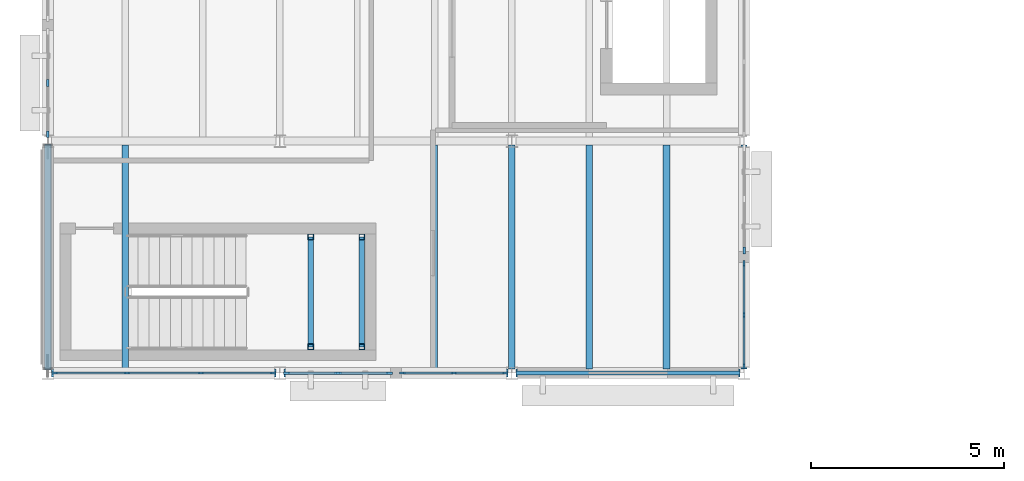
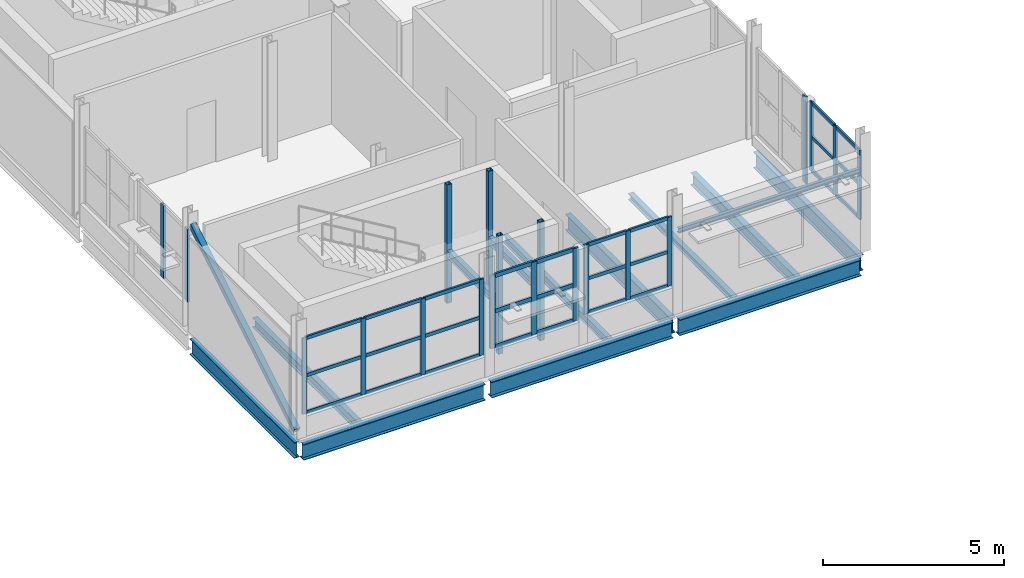
# One storey, part 11 of 45: 48 members, 13 beams, 6 elements without a shape of their own.
"""IFC4 building model written with IfcOpenShell, lengths in metres."""

from ifc_helpers import new_model, si_unit, direction, frame, origin, origin_2d, place, context, subcontext, project, spatial, rectangle, hollow_rectangle, i_section, extrude, material, material_profile, profile_set, type_object, element, aggregate, save


model = new_model("IFC4")

# Units and contexts
model_context = context("Model", 3, precision=1e-05, world=origin(), true_north=direction((0.0, 1.0)))
body_context = subcontext(model_context, "Body", "Model", "MODEL_VIEW")
ifc_project = project(units=[si_unit("LENGTHUNIT", "METRE"), si_unit("AREAUNIT", "SQUARE_METRE"), si_unit("VOLUMEUNIT", "CUBIC_METRE"), si_unit("PLANEANGLEUNIT", "RADIAN"), si_unit("MASSUNIT", "GRAM", prefix="KILO")], contexts=[model_context])

# Site, building, storey
site_placement = place(None, origin())
site = spatial("IfcSite", under=ifc_project, at=site_placement, CompositionType="ELEMENT")
building_placement = place(site_placement, origin())
building = spatial("IfcBuilding", under=site, at=building_placement, Name="Siltcreek Boulevard Central Fire Station", CompositionType="ELEMENT")
storey_placement = place(building_placement, frame((0.0, 0.0, 10.0)))
storey = spatial("IfcBuildingStorey", under=building, at=storey_placement, Name="L03", CompositionType="ELEMENT", Elevation=10.0)

# Beams
ifc_material_1 = material(Name="Structural steel ASTM A992 Gr50", Category="steel")
ifc_material_profile_1 = material_profile(ifc_material_1, i_section(OverallWidth=0.2109375, OverallDepth=0.5390625, WebThickness=0.01171875, FlangeThickness=0.018798828125, at=origin_2d()), Name="W530X109")
ifc_profile_set_1 = profile_set([ifc_material_profile_1], Name="Structural steel ASTM A992 Gr50")
beam_type_1 = type_object("IfcBeamType", Name="BM_W530X109", PredefinedType="BEAM", material=ifc_profile_set_1)
for number, where, z_axis, x_axis, name in (
    (1, (42.10009765625, 94.199951171875, -0.549560546875), (1.0, 0.0, 0.0), (0.0, 1.0, 0.0), "L03 primary steel girder GX-0378"),
    (2, (48.10009765625, 94.199951171875, -0.549560546875), (1.0, 0.0, 0.0), (0.0, 1.0, 0.0), "L03 primary steel girder GX-0379"),
    (3, (54.10009765625, 94.199951171875, -0.549560546875), (1.0, 0.0, 0.0), (0.0, 1.0, 0.0), "L03 primary steel girder GX-0380"),
):
    element("IfcBeam", number, at=place(storey_placement, frame(where, z_axis=z_axis, x_axis=x_axis)), inside=storey, type_object=beam_type_1, Name=name, PredefinedType="BEAM", context=body_context, shape_type="SweptSolid", body=[
        extrude(i_section(OverallWidth=0.2109375, OverallDepth=0.5390625, WebThickness=0.01171875, FlangeThickness=0.018798828125, at=origin_2d()), origin(), (0.0, 0.0, 1.0), 5.7998046875),
    ])
ifc_material_profile_2 = material_profile(ifc_material_1, i_section(OverallWidth=0.166015625, OverallDepth=0.534912109375, WebThickness=0.01025390625, FlangeThickness=0.0166015625, at=origin_2d()), Name="W530X85")
ifc_profile_set_2 = profile_set([ifc_material_profile_2], Name="Structural steel ASTM A992 Gr50")
beam_type_2 = type_object("IfcBeamType", Name="BM_W530X85", PredefinedType="BEAM", material=ifc_profile_set_2)
for number, where, z_axis, x_axis, name in (
    (4, (42.0, 94.300048828125, -0.547607421875), (0.0, 1.0, 0.0), (-1.0, 0.0, 0.0), "L03 primary steel girder GY-0390"),
    (5, (54.0, 94.300048828125, -0.547607421875), (0.0, 1.0, 0.0), (-1.0, 0.0, 0.0), "L03 primary steel girder GY-0394"),
    (6, (60.0, 94.300048828125, -0.547607421875), (0.0, 1.0, 0.0), (-1.0, 0.0, 0.0), "L03 primary steel girder GY-0397"),
):
    element("IfcBeam", number, at=place(storey_placement, frame(where, z_axis=z_axis, x_axis=x_axis)), inside=storey, type_object=beam_type_2, Name=name, PredefinedType="BEAM", context=body_context, shape_type="SweptSolid", body=[
        extrude(i_section(OverallWidth=0.166015625, OverallDepth=0.534912109375, WebThickness=0.01025390625, FlangeThickness=0.0166015625, at=origin_2d()), origin(), (0.0, 0.0, 1.0), 5.800048828125),
    ])

# Members
ifc_material_2 = material(Name="Structural steel ASTM A500 GrC", Category="steel")
ifc_material_profile_3 = material_profile(ifc_material_2, hollow_rectangle(XDim=0.14990234375, YDim=0.14990234375, WallThickness=0.008056640625, at=origin_2d()), Name="HSS150X150X8.0")
ifc_profile_set_3 = profile_set([ifc_material_profile_3], Name="Structural steel ASTM A500 GrC")
member_type_1 = type_object("IfcMemberType", Name="BR_HSS150_8", PredefinedType="BRACE", material=ifc_profile_set_3)
for number, where, z_axis, x_axis, name in (
    (7, (48.800048828125, 94.8798828125, 0.0), (0.0, 0.0, 1.0), (1.0, 0.0, 0.0), "L03 ST-V3A stair landing corner post SW"),
    (8, (48.800048828125, 97.719970703125, 0.0), (0.0, 0.0, 1.0), (1.0, 0.0, 0.0), "L03 ST-V3A stair landing corner post NW"),
    (9, (50.1201171875, 94.8798828125, 0.0), (0.0, 0.0, 1.0), (1.0, 0.0, 0.0), "L03 ST-V3A stair landing corner post SE"),
    (10, (50.1201171875, 97.719970703125, 0.0), (0.0, 0.0, 1.0), (1.0, 0.0, 0.0), "L03 ST-V3A stair landing corner post NE"),
):
    element("IfcMember", number, at=place(storey_placement, frame(where, z_axis=z_axis, x_axis=x_axis)), inside=storey, type_object=member_type_1, Name=name, PredefinedType="BRACE", context=body_context, shape_type="SweptSolid", body=[
        extrude(hollow_rectangle(XDim=0.14990234375, YDim=0.14990234375, WallThickness=0.008056640625, at=origin_2d()), origin(), (0.0, 0.0, 1.0), 4.0),
    ])
ifc_material_profile_4 = material_profile(ifc_material_2, hollow_rectangle(XDim=0.179931640625, YDim=0.179931640625, WallThickness=0.008056640625, at=origin_2d()), Name="HSS180X180X8.0")
ifc_profile_set_4 = profile_set([ifc_material_profile_4], Name="Structural steel ASTM A500 GrC")
member_type_2 = type_object("IfcMemberType", Name="BR_HSS180", PredefinedType="BRACE", material=ifc_profile_set_4)
member_1_placement = place(storey_placement, frame((42.0, 94.320068359375, 0.10009765625), z_axis=(0.0, 0.857890513261, 0.513832528415), x_axis=(-1.0, 0.0, 0.0)))
element("IfcMember", 11, at=member_1_placement, inside=storey, type_object=member_type_2, Name="L03 SCBF concentrically braced frame BR-015", PredefinedType="BRACE", context=body_context, shape_type="SweptSolid", body=[
    extrude(hollow_rectangle(XDim=0.179931640625, YDim=0.179931640625, WallThickness=0.008056640625, at=origin_2d()), origin(), (0.0, 0.0, 1.0), 6.714111328125),
])

# Curtain wall, members
ifc_material_3 = material(Name="Anodized aluminum and low-E insulated glazing", Category="aluminium")
curtain_wall_type_1 = type_object("IfcCurtainWallType", Name="CW_SYS_16", PredefinedType="USERDEFINED", material=ifc_material_3)
curtain_wall_1_placement = place(storey_placement, origin())
curtain_wall_1 = element("IfcCurtainWall", 12, at=curtain_wall_1_placement, inside=storey, type_object=curtain_wall_type_1, Name="L03 V3 unitised curtain wall CW-045", ObjectType="CURTAIN WALL", PredefinedType="USERDEFINED")
ifc_material_4 = material(Name="Anodized 6063-T6 aluminum framing", Category="aluminium")
ifc_material_profile_5 = material_profile(ifc_material_4, rectangle(XDim=0.06005859375, YDim=0.14990234375, at=origin_2d()), Name="MULL60X150")
ifc_profile_set_5 = profile_set([ifc_material_profile_5], Name="Anodized 6063-T6 aluminum framing")
member_type_3 = type_object("IfcMemberType", Name="CWM_60X150", PredefinedType="MULLION", material=ifc_profile_set_5)
member_2_placement = place(storey_placement, frame((42.175048828125, 94.199951171875, 0.679931640625), z_axis=(0.0, 0.0, 1.0), x_axis=(0.0, 1.0, 0.0)))
member_2 = element("IfcMember", 13, at=member_2_placement, type_object=member_type_3, Name="CW-045 mullion 1", PredefinedType="MULLION", context=body_context, shape_type="SweptSolid", body=[
    extrude(rectangle(XDim=0.06005859375, YDim=0.14990234375, at=origin_2d()), origin(), (0.0, 0.0, 1.0), 2.569091796875),
])
member_3_placement = place(storey_placement, frame((44.04833984375, 94.199951171875, 0.679931640625), z_axis=(0.0, 0.0, 1.0), x_axis=(0.0, 1.0, 0.0)))
member_3 = element("IfcMember", 14, at=member_3_placement, type_object=member_type_3, Name="CW-045 mullion 2", PredefinedType="MULLION", context=body_context, shape_type="SweptSolid", body=[
    extrude(rectangle(XDim=0.06005859375, YDim=0.14990234375, at=origin_2d()), origin(), (0.0, 0.0, 1.0), 2.569091796875),
])
member_4_placement = place(storey_placement, frame((45.95166015625, 94.199951171875, 0.679931640625), z_axis=(0.0, 0.0, 1.0), x_axis=(0.0, 1.0, 0.0)))
member_4 = element("IfcMember", 15, at=member_4_placement, type_object=member_type_3, Name="CW-045 mullion 3", PredefinedType="MULLION", context=body_context, shape_type="SweptSolid", body=[
    extrude(rectangle(XDim=0.06005859375, YDim=0.14990234375, at=origin_2d()), origin(), (0.0, 0.0, 1.0), 2.569091796875),
])
member_5_placement = place(storey_placement, frame((47.824951171875, 94.199951171875, 0.679931640625), z_axis=(0.0, 0.0, 1.0), x_axis=(0.0, 1.0, 0.0)))
member_5 = element("IfcMember", 16, at=member_5_placement, type_object=member_type_3, Name="CW-045 mullion 4", PredefinedType="MULLION", context=body_context, shape_type="SweptSolid", body=[
    extrude(rectangle(XDim=0.06005859375, YDim=0.14990234375, at=origin_2d()), origin(), (0.0, 0.0, 1.0), 2.569091796875),
])

curtain_wall_type_2 = type_object("IfcCurtainWallType", Name="CW_SYS_18", PredefinedType="USERDEFINED", material=ifc_material_3)
curtain_wall_2_placement = place(storey_placement, origin())
curtain_wall_2 = element("IfcCurtainWall", 17, at=curtain_wall_2_placement, inside=storey, type_object=curtain_wall_type_2, Name="L03 V3 unitised curtain wall CW-047", ObjectType="CURTAIN WALL", PredefinedType="USERDEFINED")
member_6_placement = place(storey_placement, frame((51.169921875, 94.199951171875, 0.919921875), z_axis=(0.0, 0.0, 1.0), x_axis=(0.0, 1.0, 0.0)))
member_6 = element("IfcMember", 18, at=member_6_placement, type_object=member_type_3, Name="CW-047 mullion 1", PredefinedType="MULLION", context=body_context, shape_type="SweptSolid", body=[
    extrude(rectangle(XDim=0.06005859375, YDim=0.14990234375, at=origin_2d()), origin(), (0.0, 0.0, 1.0), 2.3291015625),
])
member_7_placement = place(storey_placement, frame((52.49755859375, 94.199951171875, 0.919921875), z_axis=(0.0, 0.0, 1.0), x_axis=(0.0, 1.0, 0.0)))
member_7 = element("IfcMember", 19, at=member_7_placement, type_object=member_type_3, Name="CW-047 mullion 2", PredefinedType="MULLION", context=body_context, shape_type="SweptSolid", body=[
    extrude(rectangle(XDim=0.06005859375, YDim=0.14990234375, at=origin_2d()), origin(), (0.0, 0.0, 1.0), 2.3291015625),
])
member_8_placement = place(storey_placement, frame((53.824951171875, 94.199951171875, 0.919921875), z_axis=(0.0, 0.0, 1.0), x_axis=(0.0, 1.0, 0.0)))
member_8 = element("IfcMember", 20, at=member_8_placement, type_object=member_type_3, Name="CW-047 mullion 3", PredefinedType="MULLION", context=body_context, shape_type="SweptSolid", body=[
    extrude(rectangle(XDim=0.06005859375, YDim=0.14990234375, at=origin_2d()), origin(), (0.0, 0.0, 1.0), 2.3291015625),
])

curtain_wall_type_3 = type_object("IfcCurtainWallType", Name="CW_SYS_24", PredefinedType="USERDEFINED", material=ifc_material_3)
curtain_wall_3_placement = place(storey_placement, origin())
curtain_wall_3 = element("IfcCurtainWall", 21, at=curtain_wall_3_placement, inside=storey, type_object=curtain_wall_type_3, Name="L03 V3 unitised curtain wall CW-053", ObjectType="CURTAIN WALL", PredefinedType="USERDEFINED")
member_9_placement = place(storey_placement, frame((60.0, 94.375, 0.919921875), z_axis=(0.0, 0.0, 1.0), x_axis=(-1.0, 0.0, 0.0)))
member_9 = element("IfcMember", 22, at=member_9_placement, type_object=member_type_3, Name="CW-053 mullion 1", PredefinedType="MULLION", context=body_context, shape_type="SweptSolid", body=[
    extrude(rectangle(XDim=0.06005859375, YDim=0.14990234375, at=origin_2d()), origin(), (0.0, 0.0, 1.0), 2.3330078125),
])
member_10_placement = place(storey_placement, frame((60.0, 95.702392578125, 0.919921875), z_axis=(0.0, 0.0, 1.0), x_axis=(-1.0, 0.0, 0.0)))
member_10 = element("IfcMember", 23, at=member_10_placement, type_object=member_type_3, Name="CW-053 mullion 2", PredefinedType="MULLION", context=body_context, shape_type="SweptSolid", body=[
    extrude(rectangle(XDim=0.06005859375, YDim=0.14990234375, at=origin_2d()), origin(), (0.0, 0.0, 1.0), 2.3330078125),
])
member_11_placement = place(storey_placement, frame((60.0, 97.030029296875, 0.919921875), z_axis=(0.0, 0.0, 1.0), x_axis=(-1.0, 0.0, 0.0)))
member_11 = element("IfcMember", 24, at=member_11_placement, type_object=member_type_3, Name="CW-053 mullion 3", PredefinedType="MULLION", context=body_context, shape_type="SweptSolid", body=[
    extrude(rectangle(XDim=0.06005859375, YDim=0.14990234375, at=origin_2d()), origin(), (0.0, 0.0, 1.0), 2.3330078125),
])

curtain_wall_type_4 = type_object("IfcCurtainWallType", Name="CW_SYS_17", PredefinedType="USERDEFINED", material=ifc_material_3)
curtain_wall_4_placement = place(storey_placement, origin())
curtain_wall_4 = element("IfcCurtainWall", 25, at=curtain_wall_4_placement, inside=storey, type_object=curtain_wall_type_4, Name="L03 V3 unitised curtain wall CW-046", ObjectType="CURTAIN WALL", PredefinedType="USERDEFINED")
ifc_material_profile_6 = material_profile(ifc_material_4, rectangle(XDim=0.06494140625, YDim=0.175048828125, at=origin_2d()), Name="MULL65X175")
ifc_profile_set_6 = profile_set([ifc_material_profile_6], Name="Anodized 6063-T6 aluminum framing")
member_type_4 = type_object("IfcMemberType", Name="CWM_65X175", PredefinedType="MULLION", material=ifc_profile_set_6)
member_12_placement = place(storey_placement, frame((48.177490234375, 94.199951171875, 0.800048828125), z_axis=(0.0, 0.0, 1.0), x_axis=(0.0, 1.0, 0.0)))
member_12 = element("IfcMember", 26, at=member_12_placement, type_object=member_type_4, Name="CW-046 mullion 1", PredefinedType="MULLION", context=body_context, shape_type="SweptSolid", body=[
    extrude(rectangle(XDim=0.06494140625, YDim=0.175048828125, at=origin_2d()), origin(), (0.0, 0.0, 1.0), 2.448974609375),
])
member_13_placement = place(storey_placement, frame((49.50244140625, 94.199951171875, 0.800048828125), z_axis=(0.0, 0.0, 1.0), x_axis=(0.0, 1.0, 0.0)))
member_13 = element("IfcMember", 27, at=member_13_placement, type_object=member_type_4, Name="CW-046 mullion 2", PredefinedType="MULLION", context=body_context, shape_type="SweptSolid", body=[
    extrude(rectangle(XDim=0.06494140625, YDim=0.175048828125, at=origin_2d()), origin(), (0.0, 0.0, 1.0), 2.448974609375),
])
member_14_placement = place(storey_placement, frame((50.827392578125, 94.199951171875, 0.800048828125), z_axis=(0.0, 0.0, 1.0), x_axis=(0.0, 1.0, 0.0)))
member_14 = element("IfcMember", 28, at=member_14_placement, type_object=member_type_4, Name="CW-046 mullion 3", PredefinedType="MULLION", context=body_context, shape_type="SweptSolid", body=[
    extrude(rectangle(XDim=0.06494140625, YDim=0.175048828125, at=origin_2d()), origin(), (0.0, 0.0, 1.0), 2.448974609375),
])

curtain_wall_type_5 = type_object("IfcCurtainWallType", Name="CW_SYS_23", PredefinedType="USERDEFINED", material=ifc_material_3)
curtain_wall_5_placement = place(storey_placement, origin())
curtain_wall_5 = element("IfcCurtainWall", 29, at=curtain_wall_5_placement, inside=storey, type_object=curtain_wall_type_5, Name="L03 V3 unitised curtain wall CW-052", ObjectType="CURTAIN WALL", PredefinedType="USERDEFINED")
member_15_placement = place(storey_placement, frame((42.0, 101.702392578125, 0.800048828125), z_axis=(0.0, 0.0, 1.0), x_axis=(1.0, 0.0, 0.0)))
member_15 = element("IfcMember", 30, at=member_15_placement, type_object=member_type_4, Name="CW-052 mullion 2", PredefinedType="MULLION", context=body_context, shape_type="SweptSolid", body=[
    extrude(rectangle(XDim=0.06494140625, YDim=0.175048828125, at=origin_2d()), origin(), (0.0, 0.0, 1.0), 2.452880859375),
])
member_16_placement = place(storey_placement, frame((42.0, 100.37744140625, 0.800048828125), z_axis=(0.0, 0.0, 1.0), x_axis=(1.0, 0.0, 0.0)))
member_16 = element("IfcMember", 31, at=member_16_placement, type_object=member_type_4, Name="CW-052 mullion 3", PredefinedType="MULLION", context=body_context, shape_type="SweptSolid", body=[
    extrude(rectangle(XDim=0.06494140625, YDim=0.175048828125, at=origin_2d()), origin(), (0.0, 0.0, 1.0), 2.452880859375),
])
aggregate(curtain_wall_5, [member_15, member_16])

# Curtain wall, member
curtain_wall_type_6 = type_object("IfcCurtainWallType", Name="CW_SYS_25", PredefinedType="USERDEFINED", material=ifc_material_3)
curtain_wall_6_placement = place(storey_placement, origin())
curtain_wall_6 = element("IfcCurtainWall", 32, at=curtain_wall_6_placement, inside=storey, type_object=curtain_wall_type_6, Name="L03 V3 unitised curtain wall CW-054", ObjectType="CURTAIN WALL", PredefinedType="USERDEFINED")
member_17_placement = place(storey_placement, frame((60.0, 97.37255859375, 0.320068359375), z_axis=(0.0, 0.0, 1.0), x_axis=(-1.0, 0.0, 0.0)))
member_17 = element("IfcMember", 33, at=member_17_placement, type_object=member_type_4, Name="CW-054 mullion 1", PredefinedType="MULLION", context=body_context, shape_type="SweptSolid", body=[
    extrude(rectangle(XDim=0.06494140625, YDim=0.175048828125, at=origin_2d()), origin(), (0.0, 0.0, 1.0), 2.932861328125),
])
aggregate(curtain_wall_6, [member_17])

# Member
ifc_material_profile_7 = material_profile(ifc_material_4, rectangle(XDim=0.06005859375, YDim=0.114990234375, at=origin_2d()), Name="TRAN60X115")
ifc_profile_set_7 = profile_set([ifc_material_profile_7], Name="Anodized 6063-T6 aluminum framing")
member_type_5 = type_object("IfcMemberType", Name="CWT_60X115", PredefinedType="USERDEFINED", material=ifc_profile_set_7)
member_18_placement = place(storey_placement, frame((42.205078125, 94.199951171875, 0.7099609375), z_axis=(1.0, 0.0, 0.0), x_axis=(0.0, 1.0, 0.0)))
member_18 = element("IfcMember", 34, at=member_18_placement, type_object=member_type_5, Name="CW-045 transom 1.1", ObjectType="TRANSOM", PredefinedType="USERDEFINED", context=body_context, shape_type="SweptSolid", body=[
    extrude(rectangle(XDim=0.06005859375, YDim=0.114990234375, at=origin_2d()), origin(), (0.0, 0.0, 1.0), 1.813232421875),
])

member_19_placement = place(storey_placement, frame((42.205078125, 94.199951171875, 1.964599609375), z_axis=(1.0, 0.0, 0.0), x_axis=(0.0, 1.0, 0.0)))
member_19 = element("IfcMember", 35, at=member_19_placement, type_object=member_type_5, Name="CW-045 transom 1.2", ObjectType="TRANSOM", PredefinedType="USERDEFINED", context=body_context, shape_type="SweptSolid", body=[
    extrude(rectangle(XDim=0.06005859375, YDim=0.114990234375, at=origin_2d()), origin(), (0.0, 0.0, 1.0), 1.813232421875),
])

member_20_placement = place(storey_placement, frame((42.205078125, 94.199951171875, 3.218994140625), z_axis=(1.0, 0.0, 0.0), x_axis=(0.0, 1.0, 0.0)))
member_20 = element("IfcMember", 36, at=member_20_placement, type_object=member_type_5, Name="CW-045 transom 1.3", ObjectType="TRANSOM", PredefinedType="USERDEFINED", context=body_context, shape_type="SweptSolid", body=[
    extrude(rectangle(XDim=0.06005859375, YDim=0.114990234375, at=origin_2d()), origin(), (0.0, 0.0, 1.0), 1.813232421875),
])

member_21_placement = place(storey_placement, frame((44.078369140625, 94.199951171875, 0.7099609375), z_axis=(1.0, 0.0, 0.0), x_axis=(0.0, 1.0, 0.0)))
member_21 = element("IfcMember", 37, at=member_21_placement, type_object=member_type_5, Name="CW-045 transom 2.1", ObjectType="TRANSOM", PredefinedType="USERDEFINED", context=body_context, shape_type="SweptSolid", body=[
    extrude(rectangle(XDim=0.06005859375, YDim=0.114990234375, at=origin_2d()), origin(), (0.0, 0.0, 1.0), 1.84326171875),
])

member_22_placement = place(storey_placement, frame((44.078369140625, 94.199951171875, 1.964599609375), z_axis=(1.0, 0.0, 0.0), x_axis=(0.0, 1.0, 0.0)))
member_22 = element("IfcMember", 38, at=member_22_placement, type_object=member_type_5, Name="CW-045 transom 2.2", ObjectType="TRANSOM", PredefinedType="USERDEFINED", context=body_context, shape_type="SweptSolid", body=[
    extrude(rectangle(XDim=0.06005859375, YDim=0.114990234375, at=origin_2d()), origin(), (0.0, 0.0, 1.0), 1.84326171875),
])

member_23_placement = place(storey_placement, frame((44.078369140625, 94.199951171875, 3.218994140625), z_axis=(1.0, 0.0, 0.0), x_axis=(0.0, 1.0, 0.0)))
member_23 = element("IfcMember", 39, at=member_23_placement, type_object=member_type_5, Name="CW-045 transom 2.3", ObjectType="TRANSOM", PredefinedType="USERDEFINED", context=body_context, shape_type="SweptSolid", body=[
    extrude(rectangle(XDim=0.06005859375, YDim=0.114990234375, at=origin_2d()), origin(), (0.0, 0.0, 1.0), 1.84326171875),
])

member_24_placement = place(storey_placement, frame((45.981689453125, 94.199951171875, 0.7099609375), z_axis=(1.0, 0.0, 0.0), x_axis=(0.0, 1.0, 0.0)))
member_24 = element("IfcMember", 40, at=member_24_placement, type_object=member_type_5, Name="CW-045 transom 3.1", ObjectType="TRANSOM", PredefinedType="USERDEFINED", context=body_context, shape_type="SweptSolid", body=[
    extrude(rectangle(XDim=0.06005859375, YDim=0.114990234375, at=origin_2d()), origin(), (0.0, 0.0, 1.0), 1.813232421875),
])

member_25_placement = place(storey_placement, frame((45.981689453125, 94.199951171875, 1.964599609375), z_axis=(1.0, 0.0, 0.0), x_axis=(0.0, 1.0, 0.0)))
member_25 = element("IfcMember", 41, at=member_25_placement, type_object=member_type_5, Name="CW-045 transom 3.2", ObjectType="TRANSOM", PredefinedType="USERDEFINED", context=body_context, shape_type="SweptSolid", body=[
    extrude(rectangle(XDim=0.06005859375, YDim=0.114990234375, at=origin_2d()), origin(), (0.0, 0.0, 1.0), 1.813232421875),
])

member_26_placement = place(storey_placement, frame((45.981689453125, 94.199951171875, 3.218994140625), z_axis=(1.0, 0.0, 0.0), x_axis=(0.0, 1.0, 0.0)))
member_26 = element("IfcMember", 42, at=member_26_placement, type_object=member_type_5, Name="CW-045 transom 3.3", ObjectType="TRANSOM", PredefinedType="USERDEFINED", context=body_context, shape_type="SweptSolid", body=[
    extrude(rectangle(XDim=0.06005859375, YDim=0.114990234375, at=origin_2d()), origin(), (0.0, 0.0, 1.0), 1.813232421875),
])

aggregate(curtain_wall_1, [member_2, member_3, member_4, member_5, member_18, member_19, member_20, member_21, member_22, member_23, member_24, member_25, member_26])

member_27_placement = place(storey_placement, frame((51.199951171875, 94.199951171875, 0.949951171875), z_axis=(1.0, 0.0, 0.0), x_axis=(0.0, 1.0, 0.0)))
member_27 = element("IfcMember", 43, at=member_27_placement, type_object=member_type_5, Name="CW-047 transom 1.1", ObjectType="TRANSOM", PredefinedType="USERDEFINED", context=body_context, shape_type="SweptSolid", body=[
    extrude(rectangle(XDim=0.06005859375, YDim=0.114990234375, at=origin_2d()), origin(), (0.0, 0.0, 1.0), 1.267578125),
])

member_28_placement = place(storey_placement, frame((51.199951171875, 94.199951171875, 2.08447265625), z_axis=(1.0, 0.0, 0.0), x_axis=(0.0, 1.0, 0.0)))
member_28 = element("IfcMember", 44, at=member_28_placement, type_object=member_type_5, Name="CW-047 transom 1.2", ObjectType="TRANSOM", PredefinedType="USERDEFINED", context=body_context, shape_type="SweptSolid", body=[
    extrude(rectangle(XDim=0.06005859375, YDim=0.114990234375, at=origin_2d()), origin(), (0.0, 0.0, 1.0), 1.267578125),
])

member_29_placement = place(storey_placement, frame((51.199951171875, 94.199951171875, 3.218994140625), z_axis=(1.0, 0.0, 0.0), x_axis=(0.0, 1.0, 0.0)))
member_29 = element("IfcMember", 45, at=member_29_placement, type_object=member_type_5, Name="CW-047 transom 1.3", ObjectType="TRANSOM", PredefinedType="USERDEFINED", context=body_context, shape_type="SweptSolid", body=[
    extrude(rectangle(XDim=0.06005859375, YDim=0.114990234375, at=origin_2d()), origin(), (0.0, 0.0, 1.0), 1.267578125),
])

member_30_placement = place(storey_placement, frame((52.527587890625, 94.199951171875, 0.949951171875), z_axis=(1.0, 0.0, 0.0), x_axis=(0.0, 1.0, 0.0)))
member_30 = element("IfcMember", 46, at=member_30_placement, type_object=member_type_5, Name="CW-047 transom 2.1", ObjectType="TRANSOM", PredefinedType="USERDEFINED", context=body_context, shape_type="SweptSolid", body=[
    extrude(rectangle(XDim=0.06005859375, YDim=0.114990234375, at=origin_2d()), origin(), (0.0, 0.0, 1.0), 1.267333984375),
])

member_31_placement = place(storey_placement, frame((52.527587890625, 94.199951171875, 2.08447265625), z_axis=(1.0, 0.0, 0.0), x_axis=(0.0, 1.0, 0.0)))
member_31 = element("IfcMember", 47, at=member_31_placement, type_object=member_type_5, Name="CW-047 transom 2.2", ObjectType="TRANSOM", PredefinedType="USERDEFINED", context=body_context, shape_type="SweptSolid", body=[
    extrude(rectangle(XDim=0.06005859375, YDim=0.114990234375, at=origin_2d()), origin(), (0.0, 0.0, 1.0), 1.267333984375),
])

member_32_placement = place(storey_placement, frame((52.527587890625, 94.199951171875, 3.218994140625), z_axis=(1.0, 0.0, 0.0), x_axis=(0.0, 1.0, 0.0)))
member_32 = element("IfcMember", 48, at=member_32_placement, type_object=member_type_5, Name="CW-047 transom 2.3", ObjectType="TRANSOM", PredefinedType="USERDEFINED", context=body_context, shape_type="SweptSolid", body=[
    extrude(rectangle(XDim=0.06005859375, YDim=0.114990234375, at=origin_2d()), origin(), (0.0, 0.0, 1.0), 1.267333984375),
])

aggregate(curtain_wall_2, [member_6, member_7, member_8, member_27, member_28, member_29, member_30, member_31, member_32])

member_33_placement = place(storey_placement, frame((60.0, 94.405029296875, 0.949951171875), z_axis=(0.0, 1.0, 0.0), x_axis=(-1.0, 0.0, 0.0)))
member_33 = element("IfcMember", 49, at=member_33_placement, type_object=member_type_5, Name="CW-053 transom 1.1", ObjectType="TRANSOM", PredefinedType="USERDEFINED", context=body_context, shape_type="SweptSolid", body=[
    extrude(rectangle(XDim=0.06005859375, YDim=0.114990234375, at=origin_2d()), origin(), (0.0, 0.0, 1.0), 1.267578125),
])

member_34_placement = place(storey_placement, frame((60.0, 94.405029296875, 2.08642578125), z_axis=(0.0, 1.0, 0.0), x_axis=(-1.0, 0.0, 0.0)))
member_34 = element("IfcMember", 50, at=member_34_placement, type_object=member_type_5, Name="CW-053 transom 1.2", ObjectType="TRANSOM", PredefinedType="USERDEFINED", context=body_context, shape_type="SweptSolid", body=[
    extrude(rectangle(XDim=0.06005859375, YDim=0.114990234375, at=origin_2d()), origin(), (0.0, 0.0, 1.0), 1.267578125),
])

member_35_placement = place(storey_placement, frame((60.0, 94.405029296875, 3.222900390625), z_axis=(0.0, 1.0, 0.0), x_axis=(-1.0, 0.0, 0.0)))
member_35 = element("IfcMember", 51, at=member_35_placement, type_object=member_type_5, Name="CW-053 transom 1.3", ObjectType="TRANSOM", PredefinedType="USERDEFINED", context=body_context, shape_type="SweptSolid", body=[
    extrude(rectangle(XDim=0.06005859375, YDim=0.114990234375, at=origin_2d()), origin(), (0.0, 0.0, 1.0), 1.267578125),
])

member_36_placement = place(storey_placement, frame((60.0, 95.732421875, 0.949951171875), z_axis=(0.0, 1.0, 0.0), x_axis=(-1.0, 0.0, 0.0)))
member_36 = element("IfcMember", 52, at=member_36_placement, type_object=member_type_5, Name="CW-053 transom 2.1", ObjectType="TRANSOM", PredefinedType="USERDEFINED", context=body_context, shape_type="SweptSolid", body=[
    extrude(rectangle(XDim=0.06005859375, YDim=0.114990234375, at=origin_2d()), origin(), (0.0, 0.0, 1.0), 1.267578125),
])

member_37_placement = place(storey_placement, frame((60.0, 95.732421875, 2.08642578125), z_axis=(0.0, 1.0, 0.0), x_axis=(-1.0, 0.0, 0.0)))
member_37 = element("IfcMember", 53, at=member_37_placement, type_object=member_type_5, Name="CW-053 transom 2.2", ObjectType="TRANSOM", PredefinedType="USERDEFINED", context=body_context, shape_type="SweptSolid", body=[
    extrude(rectangle(XDim=0.06005859375, YDim=0.114990234375, at=origin_2d()), origin(), (0.0, 0.0, 1.0), 1.267578125),
])

member_38_placement = place(storey_placement, frame((60.0, 95.732421875, 3.222900390625), z_axis=(0.0, 1.0, 0.0), x_axis=(-1.0, 0.0, 0.0)))
member_38 = element("IfcMember", 54, at=member_38_placement, type_object=member_type_5, Name="CW-053 transom 2.3", ObjectType="TRANSOM", PredefinedType="USERDEFINED", context=body_context, shape_type="SweptSolid", body=[
    extrude(rectangle(XDim=0.06005859375, YDim=0.114990234375, at=origin_2d()), origin(), (0.0, 0.0, 1.0), 1.267578125),
])

aggregate(curtain_wall_3, [member_9, member_10, member_11, member_33, member_34, member_35, member_36, member_37, member_38])

ifc_material_profile_8 = material_profile(ifc_material_4, rectangle(XDim=0.06494140625, YDim=0.135009765625, at=origin_2d()), Name="TRAN65X135")
ifc_profile_set_8 = profile_set([ifc_material_profile_8], Name="Anodized 6063-T6 aluminum framing")
member_type_6 = type_object("IfcMemberType", Name="CWT_65X135", PredefinedType="USERDEFINED", material=ifc_profile_set_8)
member_39_placement = place(storey_placement, frame((48.2099609375, 94.199951171875, 0.83251953125), z_axis=(1.0, 0.0, 0.0), x_axis=(0.0, 1.0, 0.0)))
member_39 = element("IfcMember", 55, at=member_39_placement, type_object=member_type_6, Name="CW-046 transom 1.1", ObjectType="TRANSOM", PredefinedType="USERDEFINED", context=body_context, shape_type="SweptSolid", body=[
    extrude(rectangle(XDim=0.06494140625, YDim=0.135009765625, at=origin_2d()), origin(), (0.0, 0.0, 1.0), 1.260009765625),
])

member_40_placement = place(storey_placement, frame((48.2099609375, 94.199951171875, 2.0244140625), z_axis=(1.0, 0.0, 0.0), x_axis=(0.0, 1.0, 0.0)))
member_40 = element("IfcMember", 56, at=member_40_placement, type_object=member_type_6, Name="CW-046 transom 1.2", ObjectType="TRANSOM", PredefinedType="USERDEFINED", context=body_context, shape_type="SweptSolid", body=[
    extrude(rectangle(XDim=0.06494140625, YDim=0.135009765625, at=origin_2d()), origin(), (0.0, 0.0, 1.0), 1.260009765625),
])

member_41_placement = place(storey_placement, frame((48.2099609375, 94.199951171875, 3.216552734375), z_axis=(1.0, 0.0, 0.0), x_axis=(0.0, 1.0, 0.0)))
member_41 = element("IfcMember", 57, at=member_41_placement, type_object=member_type_6, Name="CW-046 transom 1.3", ObjectType="TRANSOM", PredefinedType="USERDEFINED", context=body_context, shape_type="SweptSolid", body=[
    extrude(rectangle(XDim=0.06494140625, YDim=0.135009765625, at=origin_2d()), origin(), (0.0, 0.0, 1.0), 1.260009765625),
])

member_42_placement = place(storey_placement, frame((49.534912109375, 94.199951171875, 0.83251953125), z_axis=(1.0, 0.0, 0.0), x_axis=(0.0, 1.0, 0.0)))
member_42 = element("IfcMember", 58, at=member_42_placement, type_object=member_type_6, Name="CW-046 transom 2.1", ObjectType="TRANSOM", PredefinedType="USERDEFINED", context=body_context, shape_type="SweptSolid", body=[
    extrude(rectangle(XDim=0.06494140625, YDim=0.135009765625, at=origin_2d()), origin(), (0.0, 0.0, 1.0), 1.260009765625),
])

member_43_placement = place(storey_placement, frame((49.534912109375, 94.199951171875, 2.0244140625), z_axis=(1.0, 0.0, 0.0), x_axis=(0.0, 1.0, 0.0)))
member_43 = element("IfcMember", 59, at=member_43_placement, type_object=member_type_6, Name="CW-046 transom 2.2", ObjectType="TRANSOM", PredefinedType="USERDEFINED", context=body_context, shape_type="SweptSolid", body=[
    extrude(rectangle(XDim=0.06494140625, YDim=0.135009765625, at=origin_2d()), origin(), (0.0, 0.0, 1.0), 1.260009765625),
])

member_44_placement = place(storey_placement, frame((49.534912109375, 94.199951171875, 3.216552734375), z_axis=(1.0, 0.0, 0.0), x_axis=(0.0, 1.0, 0.0)))
member_44 = element("IfcMember", 60, at=member_44_placement, type_object=member_type_6, Name="CW-046 transom 2.3", ObjectType="TRANSOM", PredefinedType="USERDEFINED", context=body_context, shape_type="SweptSolid", body=[
    extrude(rectangle(XDim=0.06494140625, YDim=0.135009765625, at=origin_2d()), origin(), (0.0, 0.0, 1.0), 1.260009765625),
])

aggregate(curtain_wall_4, [member_12, member_13, member_14, member_39, member_40, member_41, member_42, member_43, member_44])

# Beams
ifc_material_profile_9 = material_profile(ifc_material_1, i_section(OverallWidth=0.1650390625, OverallDepth=0.200927734375, WebThickness=0.006103515625, FlangeThickness=0.01025390625, at=origin_2d()), Name="W200X36")
ifc_profile_set_9 = profile_set([ifc_material_profile_9], Name="Structural steel ASTM A992 Gr50")
beam_type_3 = type_object("IfcBeamType", Name="JST_W200X36", PredefinedType="JOIST", material=ifc_profile_set_9)
beam_1_placement = place(storey_placement, frame((56.0, 94.303466796875, -0.380615234375), z_axis=(0.0, 1.0, 0.0), x_axis=(-1.0, 0.0, 0.0)))
element("IfcBeam", 61, at=beam_1_placement, inside=storey, type_object=beam_type_3, Name="L03 secondary steel floor joist 0341", PredefinedType="JOIST", context=body_context, shape_type="SweptSolid", body=[
    extrude(i_section(OverallWidth=0.1650390625, OverallDepth=0.200927734375, WebThickness=0.006103515625, FlangeThickness=0.01025390625, at=origin_2d()), origin(), (0.0, 0.0, 1.0), 5.79296875),
])
ifc_material_profile_10 = material_profile(ifc_material_1, i_section(OverallWidth=0.14697265625, OverallDepth=0.261962890625, WebThickness=0.006591796875, FlangeThickness=0.01123046875, at=origin_2d()), Name="W250X39")
ifc_profile_set_10 = profile_set([ifc_material_profile_10], Name="Structural steel ASTM A992 Gr50")
beam_type_4 = type_object("IfcBeamType", Name="JST_W250X39", PredefinedType="JOIST", material=ifc_profile_set_10)
beam_2_placement = place(storey_placement, frame((52.0, 94.303466796875, -0.410888671875), z_axis=(0.0, 1.0, 0.0), x_axis=(-1.0, 0.0, 0.0)))
element("IfcBeam", 62, at=beam_2_placement, inside=storey, type_object=beam_type_4, Name="L03 secondary steel floor joist 0340", PredefinedType="JOIST", context=body_context, shape_type="SweptSolid", body=[
    extrude(i_section(OverallWidth=0.14697265625, OverallDepth=0.261962890625, WebThickness=0.006591796875, FlangeThickness=0.01123046875, at=origin_2d()), origin(), (0.0, 0.0, 1.0), 5.79296875),
])
for number, where, z_axis, x_axis, name in (
    (63, (48.800048828125, 94.8798828125, 1.6689453125), (0.0, 1.0, 0.0), (-1.0, 0.0, 0.0), "L03 ST-V3A stair landing bearer MIDW"),
    (64, (50.1201171875, 94.8798828125, 1.6689453125), (0.0, 1.0, 0.0), (-1.0, 0.0, 0.0), "L03 ST-V3A stair landing bearer MIDE"),
):
    element("IfcBeam", number, at=place(storey_placement, frame(where, z_axis=z_axis, x_axis=x_axis)), inside=storey, type_object=beam_type_4, Name=name, PredefinedType="JOIST", context=body_context, shape_type="SweptSolid", body=[
        extrude(i_section(OverallWidth=0.14697265625, OverallDepth=0.261962890625, WebThickness=0.006591796875, FlangeThickness=0.01123046875, at=origin_2d()), origin(), (0.0, 0.0, 1.0), 2.840087890625),
    ])
ifc_material_profile_11 = material_profile(ifc_material_1, i_section(OverallWidth=0.166015625, OverallDepth=0.31298828125, WebThickness=0.006591796875, FlangeThickness=0.01123046875, at=origin_2d()), Name="W310X45")
ifc_profile_set_11 = profile_set([ifc_material_profile_11], Name="Structural steel ASTM A992 Gr50")
beam_type_5 = type_object("IfcBeamType", Name="JST_W310X45", PredefinedType="JOIST", material=ifc_profile_set_11)
beam_3_placement = place(storey_placement, frame((44.0, 94.303466796875, -0.4365234375), z_axis=(0.0, 1.0, 0.0), x_axis=(-1.0, 0.0, 0.0)))
element("IfcBeam", 65, at=beam_3_placement, inside=storey, type_object=beam_type_5, Name="L03 secondary steel floor joist 0339", PredefinedType="JOIST", context=body_context, shape_type="SweptSolid", body=[
    extrude(i_section(OverallWidth=0.166015625, OverallDepth=0.31298828125, WebThickness=0.006591796875, FlangeThickness=0.01123046875, at=origin_2d()), origin(), (0.0, 0.0, 1.0), 5.79296875),
])
ifc_material_profile_12 = material_profile(ifc_material_1, i_section(OverallWidth=0.177001953125, OverallDepth=0.403076171875, WebThickness=0.007568359375, FlangeThickness=0.010986328125, at=origin_2d()), Name="W410X53")
ifc_profile_set_12 = profile_set([ifc_material_profile_12], Name="Structural steel ASTM A992 Gr50")
beam_type_6 = type_object("IfcBeamType", Name="JST_W410X53", PredefinedType="JOIST", material=ifc_profile_set_12)
beam_4_placement = place(storey_placement, frame((58.0, 94.303466796875, -0.4814453125), z_axis=(0.0, 1.0, 0.0), x_axis=(-1.0, 0.0, 0.0)))
element("IfcBeam", 66, at=beam_4_placement, inside=storey, type_object=beam_type_6, Name="L03 secondary steel floor joist 0342", PredefinedType="JOIST", context=body_context, shape_type="SweptSolid", body=[
    extrude(i_section(OverallWidth=0.177001953125, OverallDepth=0.403076171875, WebThickness=0.007568359375, FlangeThickness=0.010986328125, at=origin_2d()), origin(), (0.0, 0.0, 1.0), 5.79296875),
])
ifc_material_profile_13 = material_profile(ifc_material_1, i_section(OverallWidth=0.10205078125, OverallDepth=0.159912109375, WebThickness=0.006591796875, FlangeThickness=0.01025390625, at=origin_2d()), Name="W150X24")
ifc_profile_set_13 = profile_set([ifc_material_profile_13], Name="Structural steel ASTM A992 Gr50")
beam_type_7 = type_object("IfcBeamType", Name="LIN_W150X24", PredefinedType="LINTEL", material=ifc_profile_set_13)
beam_5_placement = place(storey_placement, frame((54.10009765625, 94.199951171875, 2.68994140625), z_axis=(1.0, 0.0, 0.0), x_axis=(0.0, 1.0, 0.0)))
element("IfcBeam", 67, at=beam_5_placement, inside=storey, type_object=beam_type_7, Name="Exterior window steel lintel WLN-22", PredefinedType="LINTEL", context=body_context, shape_type="SweptSolid", body=[
    extrude(i_section(OverallWidth=0.10205078125, OverallDepth=0.159912109375, WebThickness=0.006591796875, FlangeThickness=0.01025390625, at=origin_2d()), origin(), (0.0, 0.0, 1.0), 5.7998046875),
])

save(model, "model.ifc")
